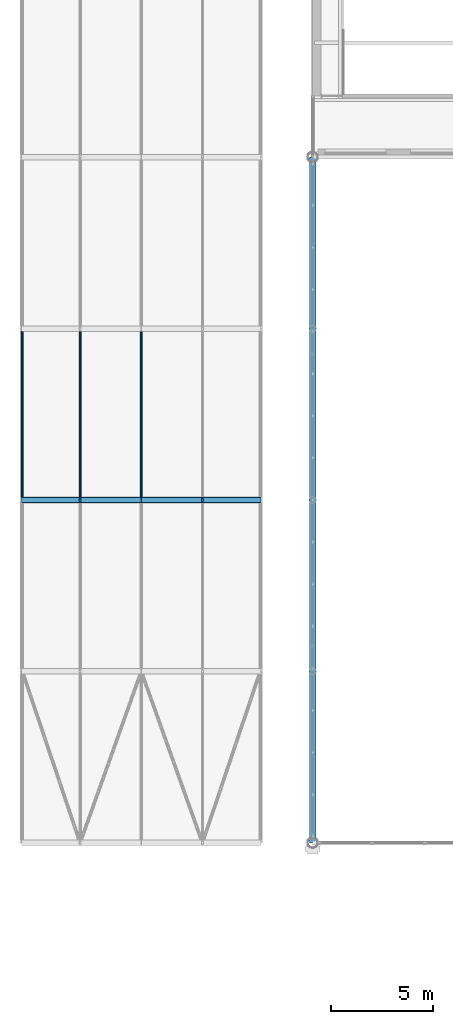
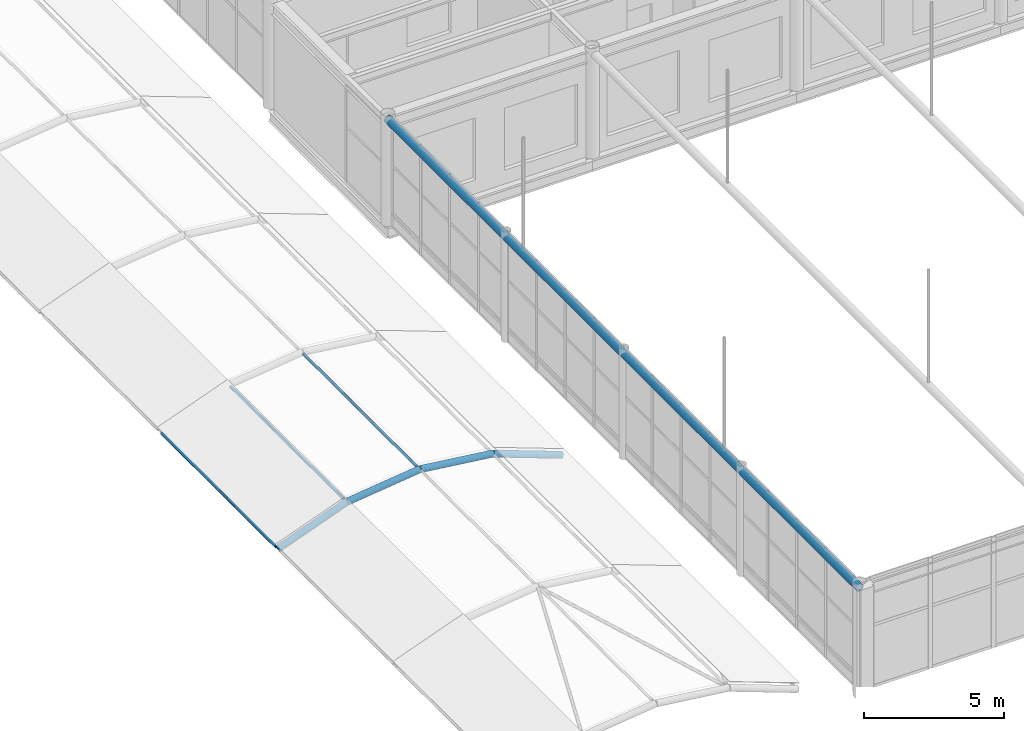
# One storey, part 47 of 167: 7 members, 1 beam.
"""IFC4 building model written with IfcOpenShell, lengths in metres."""

from ifc_helpers import new_model, si_unit, direction, frame, origin, origin_2d, place, context, subcontext, project, spatial, hollow_circle, extrude, material, material_profile, profile_set, type_object, element, save


model = new_model("IFC4")

# Units and contexts
model_context = context("Model", 3, precision=1e-05, world=origin(), true_north=direction((0.0, 1.0)))
body_context = subcontext(model_context, "Body", "Model", "MODEL_VIEW")
ifc_project = project(units=[si_unit("LENGTHUNIT", "METRE"), si_unit("AREAUNIT", "SQUARE_METRE"), si_unit("VOLUMEUNIT", "CUBIC_METRE"), si_unit("PLANEANGLEUNIT", "RADIAN"), si_unit("MASSUNIT", "GRAM", prefix="KILO")], contexts=[model_context])

# Site, building, storey
site_placement = place(None, origin())
site = spatial("IfcSite", under=ifc_project, at=site_placement, CompositionType="ELEMENT")
building_placement = place(site_placement, origin())
building = spatial("IfcBuilding", under=site, at=building_placement, Name="Catenary Quay Ferry Terminal", CompositionType="ELEMENT")
storey_placement = place(building_placement, frame((0.0, 0.0, 6.0)))
storey = spatial("IfcBuildingStorey", under=building, at=storey_placement, Name="L01", CompositionType="ELEMENT", Elevation=6.0)

# Members
ifc_material_1 = material(Name="Steel S355", Category="steel")
ifc_material_profile_1 = material_profile(ifc_material_1, hollow_circle(Radius=0.05712890625, WallThickness=0.00634765625, at=origin_2d()), Name="CHS 114.3x6.3")
ifc_profile_set_1 = profile_set([ifc_material_profile_1], Name="Steel S355")
member_type_1 = type_object("IfcMemberType", Name="PU2 CHS 114.3x6.3", PredefinedType="PURLIN", material=ifc_profile_set_1)
for number, where, z_axis, x_axis, name in (
    (1, (10.970947265625, 84.1298828125, 0.98388671875), (0.0, 1.0, 0.0), (-1.0, 0.0, 0.0), "Purlin PU-FC-03-01"),
    (2, (13.802978515625, 84.1298828125, 2.031005859375), (0.0, 1.0, 0.0), (-1.0, 0.0, 0.0), "Purlin PU-FC-03-02"),
    (3, (16.800048828125, 84.1298828125, 2.39990234375), (0.0, 1.0, 0.0), (-1.0, 0.0, 0.0), "Purlin PU-FC-03-03"),
):
    element("IfcMember", number, at=place(storey_placement, frame(where, z_axis=z_axis, x_axis=x_axis)), inside=storey, type_object=member_type_1, Name=name, PredefinedType="PURLIN", context=body_context, shape_type="SweptSolid", body=[
        extrude(hollow_circle(Radius=0.05712890625, WallThickness=0.00634765625, at=origin_2d()), origin(), (0.0, 0.0, 1.0), 8.14013671875),
    ])

# Beam
ifc_material_2 = material(Name="Steel S355", Category="steel")
ifc_material_profile_2 = material_profile(ifc_material_2, hollow_circle(Radius=0.161865234375, WallThickness=0.01611328125, at=origin_2d()), Name="CHS 323.9x16")
ifc_profile_set_2 = profile_set([ifc_material_profile_2], Name="Steel S355")
beam_type = type_object("IfcBeamType", Name="TB3 CHS 323.9x16", PredefinedType="BEAM", material=ifc_profile_set_2)
beam_placement = place(storey_placement, frame((25.199951171875, 67.199951171875, 4.5), z_axis=(0.0, 1.0, 0.0), x_axis=(-1.0, 0.0, 0.0)))
element("IfcBeam", 4, at=beam_placement, inside=storey, type_object=beam_type, Name="Vault tie beam VA-01", PredefinedType="BEAM", context=body_context, shape_type="SweptSolid", body=[
    extrude(hollow_circle(Radius=0.161865234375, WallThickness=0.01611328125, at=origin_2d()), origin(), (0.0, 0.0, 1.0), 33.60009765625),
])

# Members
ifc_material_3 = material(Name="Steel S355", Category="steel")
ifc_material_profile_3 = material_profile(ifc_material_3, hollow_circle(Radius=0.136474609375, WallThickness=0.012451171875, at=origin_2d()), Name="CHS 273x12.5")
ifc_profile_set_3 = profile_set([ifc_material_profile_3], Name="Steel S355")
member_type_2 = type_object("IfcMemberType", Name="VR2 CHS 273x12.5", PredefinedType="RAFTER", material=ifc_profile_set_3)
member_1_placement = place(storey_placement, frame((10.970947265625, 84.0, 0.98388671875), z_axis=(0.937940762231, 0.0, 0.346795511139), x_axis=(0.0, 1.0, 0.0)))
element("IfcMember", 5, at=member_1_placement, inside=storey, type_object=member_type_2, Name="rib FC-03-02", PredefinedType="RAFTER", context=body_context, shape_type="SweptSolid", body=[
    extrude(hollow_circle(Radius=0.136474609375, WallThickness=0.012451171875, at=origin_2d()), origin(), (0.0, 0.0, 1.0), 3.01953125),
])
for number, where, z_axis, x_axis, name in (
    (6, (13.802978515625, 84.0, 2.031005859375), (0.992509955251, 0.0, 0.122163778298), (0.0, 1.0, 0.0), "rib FC-03-03"),
    (7, (16.800048828125, 84.0, 2.39990234375), (0.992509955251, 0.0, -0.122163778298), (0.0, 1.0, 0.0), "rib FC-03-04"),
):
    element("IfcMember", number, at=place(storey_placement, frame(where, z_axis=z_axis, x_axis=x_axis)), inside=storey, type_object=member_type_2, Name=name, PredefinedType="RAFTER", context=body_context, shape_type="SweptSolid", body=[
        extrude(hollow_circle(Radius=0.136474609375, WallThickness=0.012451171875, at=origin_2d()), origin(), (0.0, 0.0, 1.0), 3.019775390625),
    ])
member_2_placement = place(storey_placement, frame((19.797119140625, 84.0, 2.031005859375), z_axis=(0.93793103669, 0.0, -0.346821813636), x_axis=(0.0, 1.0, 0.0)))
element("IfcMember", 8, at=member_2_placement, inside=storey, type_object=member_type_2, Name="rib FC-03-05", PredefinedType="RAFTER", context=body_context, shape_type="SweptSolid", body=[
    extrude(hollow_circle(Radius=0.136474609375, WallThickness=0.012451171875, at=origin_2d()), origin(), (0.0, 0.0, 1.0), 3.019287109375),
])

save(model, "model.ifc")
